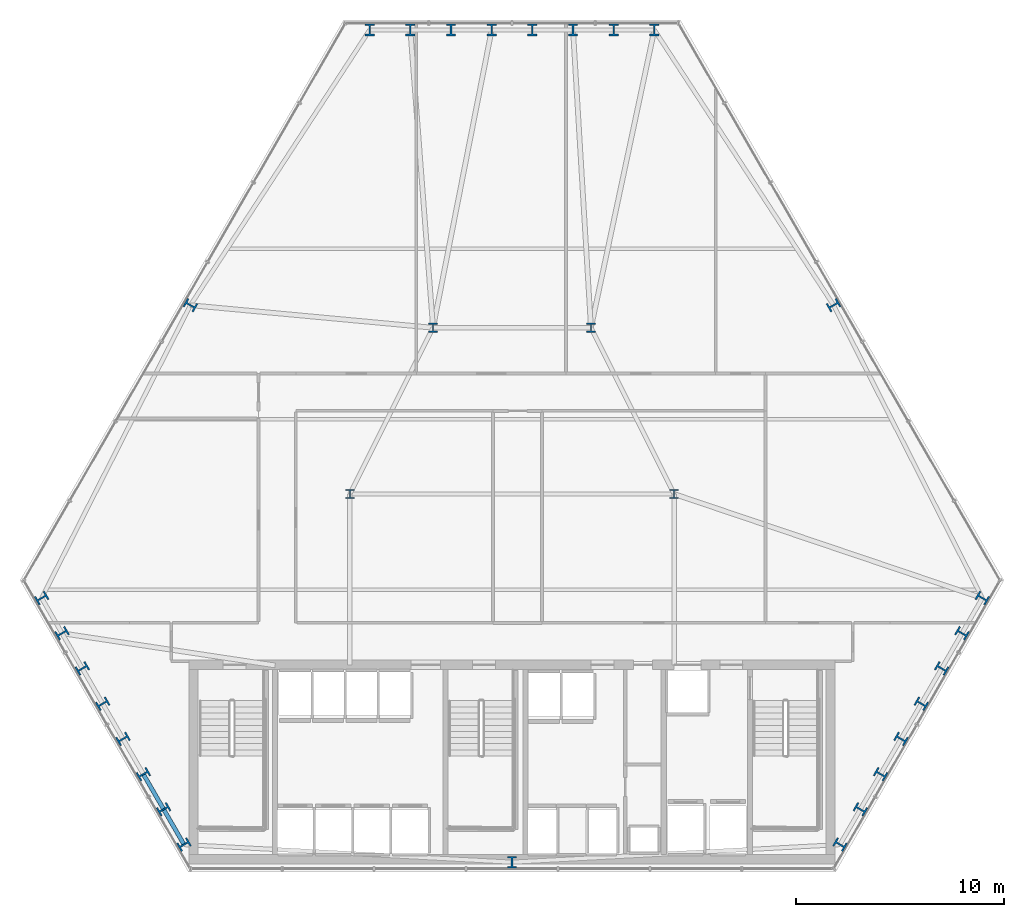
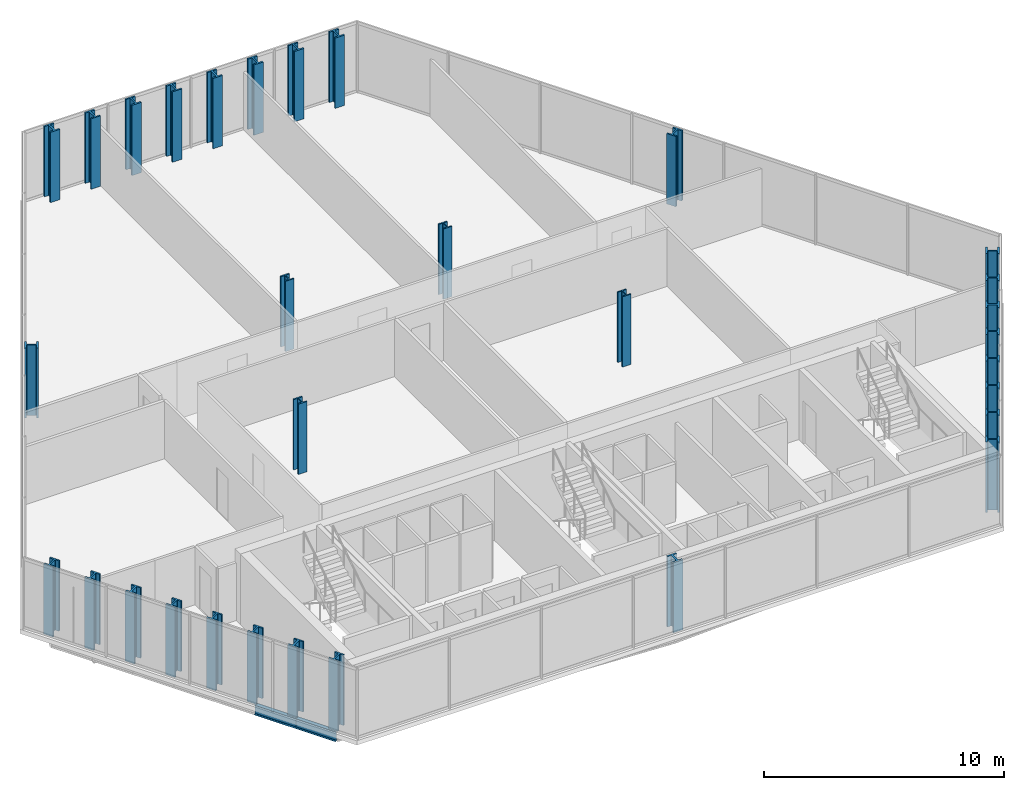
# One storey, part 1 of 32: 31 columns, 2 beams.
"""IFC4 building model written with IfcOpenShell, lengths in metres."""

from ifc_helpers import new_model, si_unit, direction, frame, origin, origin_2d, place, context, subcontext, project, spatial, i_section, extrude, material, material_profile, profile_set, type_object, element, save


model = new_model("IFC4")

# Units and contexts
model_context = context("Model", 3, precision=1e-05, world=origin(), true_north=direction((0.0, 1.0)))
body_context = subcontext(model_context, "Body", "Model", "MODEL_VIEW")
ifc_project = project(units=[si_unit("LENGTHUNIT", "METRE"), si_unit("AREAUNIT", "SQUARE_METRE"), si_unit("VOLUMEUNIT", "CUBIC_METRE"), si_unit("PLANEANGLEUNIT", "RADIAN"), si_unit("MASSUNIT", "GRAM", prefix="KILO")], contexts=[model_context])

# Site, building, storey
site_placement = place(None, origin())
site = spatial("IfcSite", under=ifc_project, at=site_placement, CompositionType="ELEMENT")
building_placement = place(site_placement, origin())
building = spatial("IfcBuilding", under=site, at=building_placement, Name="Ndaravel Arena Tower", CompositionType="ELEMENT")
storey_placement = place(building_placement, frame((0.0, 0.0, 51.199951171875)))
storey = spatial("IfcBuildingStorey", under=building, at=storey_placement, Name="L10", CompositionType="ELEMENT", Elevation=51.199951171875)

# Columns
ifc_material_1 = material(Name="Steel S460", Category="steel")
ifc_material_profile_1 = material_profile(ifc_material_1, i_section(OverallWidth=0.41845703125, OverallDepth=0.45556640625, WebThickness=0.0419921875, FlangeThickness=0.0673828125, FilletRadius=0.01513671875, at=origin_2d()), Name="UC 356x406x551")
ifc_profile_set_1 = profile_set([ifc_material_profile_1], Name="Steel S460")
column_type_1 = type_object("IfcColumnType", Name="COL-INT-UC551", PredefinedType="COLUMN", material=ifc_profile_set_1)
for number, where, z_axis, x_axis, name in (
    (1, (34.199951171875, 23.199951171875, 0.0), (0.0, 0.0, 1.0), (1.0, 0.0, 0.0), "L10 Interior Spine Column IC-01"),
    (2, (49.800048828125, 23.199951171875, 0.0), (0.0, 0.0, 1.0), (1.0, 0.0, 0.0), "L10 Interior Spine Column IC-02"),
    (3, (38.199951171875, 31.199951171875, 0.0), (0.0, 0.0, 1.0), (1.0, 0.0, 0.0), "L10 Interior Spine Column IC-03"),
    (4, (45.800048828125, 31.199951171875, 0.0), (0.0, 0.0, 1.0), (1.0, 0.0, 0.0), "L10 Interior Spine Column IC-04"),
):
    element("IfcColumn", number, at=place(storey_placement, frame(where, z_axis=z_axis, x_axis=x_axis)), inside=storey, type_object=column_type_1, Name=name, PredefinedType="COLUMN", context=body_context, shape_type="SweptSolid", body=[
        extrude(i_section(OverallWidth=0.41845703125, OverallDepth=0.45556640625, WebThickness=0.0419921875, FlangeThickness=0.0673828125, FilletRadius=0.01513671875, at=origin_2d()), origin(), (0.0, 0.0, 1.0), 3.580078125),
    ])
ifc_material_2 = material(Name="Steel S460", Category="steel")
ifc_material_profile_2 = material_profile(ifc_material_2, i_section(OverallWidth=0.4541015625, OverallDepth=0.569091796875, WebThickness=0.077880859375, FlangeThickness=0.080078125, FilletRadius=0.014892578125, at=origin_2d()), Name="HD 400x1086")
ifc_profile_set_2 = profile_set([ifc_material_profile_2], Name="Steel S460")
column_type_2 = type_object("IfcColumnType", Name="COL-TUBE-HD1086", PredefinedType="COLUMN", material=ifc_profile_set_2)
for number, where, z_axis, x_axis, name in (
    (5, (42.0, 5.47998046875, 0.0), (0.0, 0.0, 1.0), (1.0, 0.0, 0.0), "L10 Framed Tube Column TC-01"),
    (6, (57.784423828125, 6.327392578125, 0.0), (0.0, 0.0, 1.0), (0.5, 0.866025403784, 0.0), "L10 Framed Tube Column TC-02"),
    (7, (58.762939453125, 8.0224609375, 0.0), (0.0, 0.0, 1.0), (0.5, 0.866025403784, 0.0), "L10 Framed Tube Column TC-03"),
    (8, (59.74169921875, 9.71728515625, 0.0), (0.0, 0.0, 1.0), (0.5, 0.866025403784, 0.0), "L10 Framed Tube Column TC-04"),
    (9, (60.72021484375, 11.412353515625, 0.0), (0.0, 0.0, 1.0), (0.5, 0.866025403784, 0.0), "L10 Framed Tube Column TC-05"),
    (10, (61.69873046875, 13.107177734375, 0.0), (0.0, 0.0, 1.0), (0.5, 0.866025403784, 0.0), "L10 Framed Tube Column TC-06"),
    (11, (62.67724609375, 14.80224609375, 0.0), (0.0, 0.0, 1.0), (0.5, 0.866025403784, 0.0), "L10 Framed Tube Column TC-07"),
    (12, (63.656005859375, 16.4970703125, 0.0), (0.0, 0.0, 1.0), (0.5, 0.866025403784, 0.0), "L10 Framed Tube Column TC-08"),
    (13, (64.634521484375, 18.19189453125, 0.0), (0.0, 0.0, 1.0), (0.5, 0.866025403784, 0.0), "L10 Framed Tube Column TC-09"),
    (14, (57.476318359375, 32.285400390625, 0.0), (0.0, 0.0, 1.0), (-0.5, 0.866025403784, 0.0), "L10 Framed Tube Column TC-10"),
    (15, (48.85009765625, 45.531494140625, 0.0), (0.0, 0.0, 1.0), (1.0, 0.0, 0.0), "L10 Framed Tube Column TC-11"),
    (16, (46.892822265625, 45.531494140625, 0.0), (0.0, 0.0, 1.0), (1.0, 0.0, 0.0), "L10 Framed Tube Column TC-12"),
    (17, (44.935791015625, 45.531494140625, 0.0), (0.0, 0.0, 1.0), (1.0, 0.0, 0.0), "L10 Framed Tube Column TC-13"),
    (18, (42.978515625, 45.531494140625, 0.0), (0.0, 0.0, 1.0), (1.0, 0.0, 0.0), "L10 Framed Tube Column TC-14"),
    (19, (41.021484375, 45.531494140625, 0.0), (0.0, 0.0, 1.0), (1.0, 0.0, 0.0), "L10 Framed Tube Column TC-15"),
    (20, (39.064208984375, 45.531494140625, 0.0), (0.0, 0.0, 1.0), (1.0, 0.0, 0.0), "L10 Framed Tube Column TC-16"),
    (21, (37.107177734375, 45.531494140625, 0.0), (0.0, 0.0, 1.0), (1.0, 0.0, 0.0), "L10 Framed Tube Column TC-17"),
    (22, (35.14990234375, 45.531494140625, 0.0), (0.0, 0.0, 1.0), (1.0, 0.0, 0.0), "L10 Framed Tube Column TC-18"),
    (23, (26.523681640625, 32.285400390625, 0.0), (0.0, 0.0, 1.0), (0.5, 0.866025403784, 0.0), "L10 Framed Tube Column TC-19"),
    (24, (19.365478515625, 18.19189453125, 0.0), (0.0, 0.0, 1.0), (-0.5, 0.866025403784, 0.0), "L10 Framed Tube Column TC-20"),
    (25, (20.343994140625, 16.4970703125, 0.0), (0.0, 0.0, 1.0), (-0.5, 0.866025403784, 0.0), "L10 Framed Tube Column TC-21"),
    (26, (21.32275390625, 14.80224609375, 0.0), (0.0, 0.0, 1.0), (-0.5, 0.866025403784, 0.0), "L10 Framed Tube Column TC-22"),
    (27, (22.30126953125, 13.107177734375, 0.0), (0.0, 0.0, 1.0), (-0.5, 0.866025403784, 0.0), "L10 Framed Tube Column TC-23"),
    (28, (23.27978515625, 11.412353515625, 0.0), (0.0, 0.0, 1.0), (-0.5, 0.866025403784, 0.0), "L10 Framed Tube Column TC-24"),
    (29, (24.25830078125, 9.71728515625, 0.0), (0.0, 0.0, 1.0), (-0.5, 0.866025403784, 0.0), "L10 Framed Tube Column TC-25"),
    (30, (25.237060546875, 8.0224609375, 0.0), (0.0, 0.0, 1.0), (-0.5, 0.866025403784, 0.0), "L10 Framed Tube Column TC-26"),
    (31, (26.215576171875, 6.327392578125, 0.0), (0.0, 0.0, 1.0), (-0.5, 0.866025403784, 0.0), "L10 Framed Tube Column TC-27"),
):
    element("IfcColumn", number, at=place(storey_placement, frame(where, z_axis=z_axis, x_axis=x_axis)), inside=storey, type_object=column_type_2, Name=name, PredefinedType="COLUMN", context=body_context, shape_type="SweptSolid", body=[
        extrude(i_section(OverallWidth=0.4541015625, OverallDepth=0.569091796875, WebThickness=0.077880859375, FlangeThickness=0.080078125, FilletRadius=0.014892578125, at=origin_2d()), origin(), (0.0, 0.0, 1.0), 3.580078125),
    ])

# Beams
ifc_material_3 = material(Name="Steel S355", Category="steel")
ifc_material_profile_3 = material_profile(ifc_material_3, i_section(OverallWidth=0.199951171875, OverallDepth=0.5, WebThickness=0.01025390625, FlangeThickness=0.01611328125, FilletRadius=0.02099609375, at=origin_2d()), Name="IPE 500")
ifc_profile_set_3 = profile_set([ifc_material_profile_3], Name="Steel S355")
beam_type = type_object("IfcBeamType", Name="BM-SPAN-IPE500", PredefinedType="SPANDREL", material=ifc_profile_set_3)
beam_1_placement = place(storey_placement, frame((24.25830078125, 9.71728515625, -0.469970703125), z_axis=(0.500096775829, -0.865969523024, 0.0), x_axis=(0.865969523024, 0.500096775829, 0.0)))
element("IfcBeam", 32, at=beam_1_placement, inside=storey, type_object=beam_type, Name="L10 Perimeter Spandrel Beam SP-25", PredefinedType="SPANDREL", context=body_context, shape_type="SweptSolid", body=[
    extrude(i_section(OverallWidth=0.199951171875, OverallDepth=0.5, WebThickness=0.01025390625, FlangeThickness=0.01611328125, FilletRadius=0.02099609375, at=origin_2d()), origin(), (0.0, 0.0, 1.0), 1.95703125),
])
beam_2_placement = place(storey_placement, frame((25.237060546875, 8.0224609375, -0.469970703125), z_axis=(0.49994920724, -0.866054727012, 0.0), x_axis=(0.866054727012, 0.49994920724, 0.0)))
element("IfcBeam", 33, at=beam_2_placement, inside=storey, type_object=beam_type, Name="L10 Perimeter Spandrel Beam SP-26", PredefinedType="SPANDREL", context=body_context, shape_type="SweptSolid", body=[
    extrude(i_section(OverallWidth=0.199951171875, OverallDepth=0.5, WebThickness=0.01025390625, FlangeThickness=0.01611328125, FilletRadius=0.02099609375, at=origin_2d()), origin(), (0.0, 0.0, 1.0), 1.957275390625),
])

save(model, "model.ifc")
